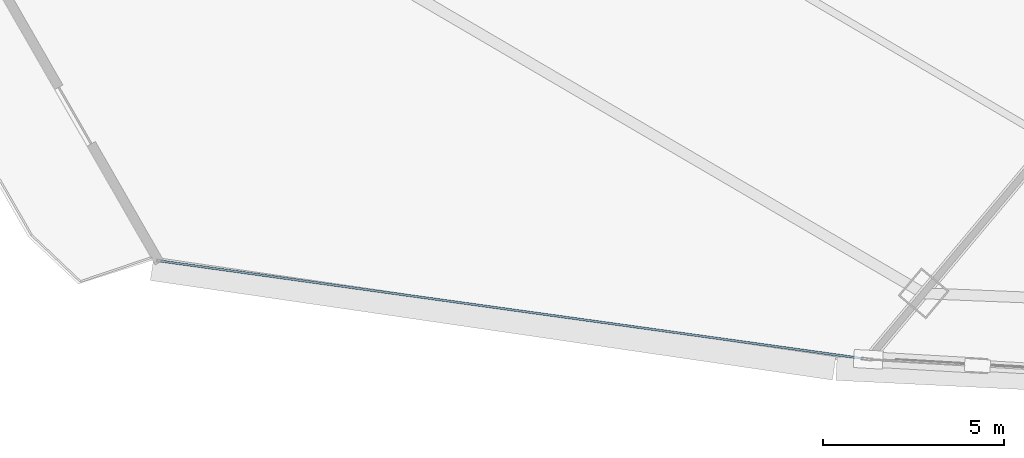
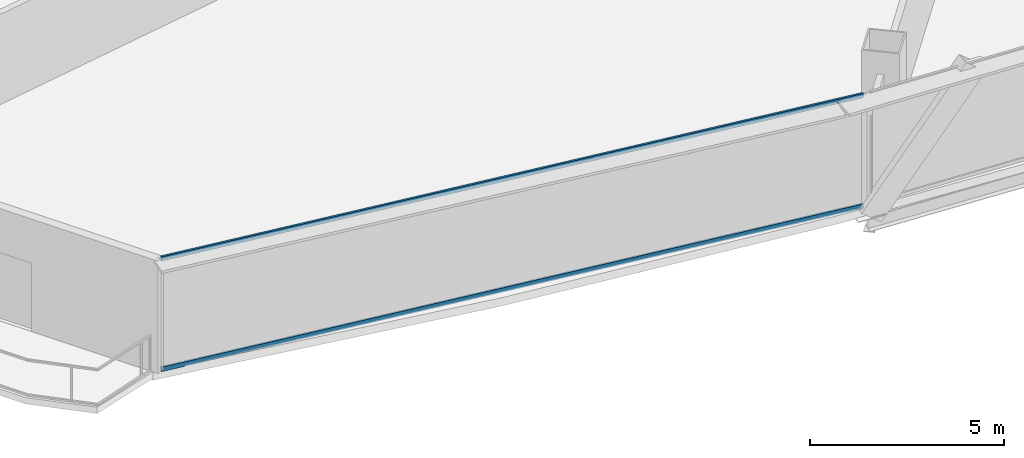
# One storey, part 3 of 38: 2 members, 1 element without a shape of its own.
"""IFC4 building model written with IfcOpenShell, lengths in metres."""

from ifc_helpers import new_model, si_unit, direction, frame, origin, origin_2d, place, context, subcontext, project, spatial, hollow_rectangle, extrude, source, transform, mapped, material, layer, layer_set, material_profile, profile_set, type_object, element, aggregate, save


model = new_model("IFC4")

# Units and contexts
model_context = context("Model", 3, precision=1e-05, world=origin(), true_north=direction((0.0, 1.0)))
body_context = subcontext(model_context, "Body", "Model", "MODEL_VIEW")
ifc_project = project(units=[si_unit("LENGTHUNIT", "METRE"), si_unit("AREAUNIT", "SQUARE_METRE"), si_unit("VOLUMEUNIT", "CUBIC_METRE"), si_unit("PLANEANGLEUNIT", "RADIAN"), si_unit("MASSUNIT", "GRAM", prefix="KILO"), si_unit("THERMODYNAMICTEMPERATUREUNIT", "KELVIN"), si_unit("POWERUNIT", "WATT")], contexts=[model_context])

# Site, building, storey
site_placement = place(None, origin())
site = spatial("IfcSite", under=ifc_project, at=site_placement, CompositionType="ELEMENT")
building_placement = place(site_placement, origin())
building = spatial("IfcBuilding", under=site, at=building_placement, Name="Yunzhuo Pagoda Commons", CompositionType="ELEMENT")
storey_placement = place(building_placement, frame((0.0, 0.0, 81.179931640625)))
storey = spatial("IfcBuildingStorey", under=building, at=storey_placement, Name="L20", CompositionType="ELEMENT", Elevation=81.179931640625)

# Curtain wall, members
ifc_material = material(Name="Anodized aluminium 6063-T6", Category="aluminium")
ifc_layer = layer(ifc_material, 0.1650390625)
ifc_layer_set = layer_set([ifc_layer], Name="Anodized aluminium 6063-T6")
curtain_wall_type = type_object("IfcCurtainWallType", Name="CW-LOW Low-Zone Ribbon Curtain Wall", PredefinedType="NOTDEFINED", material=ifc_layer_set)
curtain_wall_placement = place(storey_placement, origin())
curtain_wall = element("IfcCurtainWall", 1, at=curtain_wall_placement, inside=storey, type_object=curtain_wall_type, Name="L20 curtain wall CW-L20-F1B1", PredefinedType="NOTDEFINED")
ifc_material_profile = material_profile(ifc_material, hollow_rectangle(XDim=0.06005859375, YDim=0.139892578125, WallThickness=0.00341796875, at=origin_2d()), Name="Anodized aluminium 6063-T6")
ifc_profile_set = profile_set([ifc_material_profile], Name="Anodized aluminium 6063-T6")
member_type = type_object("IfcMemberType", Name="CW-LOW-T Transom RHS 140x60x3.5", PredefinedType="USERDEFINED", material=ifc_profile_set)
shared_shape = source(origin(), body_context, "Body", "SweptSolid", [
    extrude(hollow_rectangle(XDim=0.06005859375, YDim=0.139892578125, WallThickness=0.00341796875, at=origin_2d()), origin(), (0.0, 0.0, 1.0), 19.557861328125),
])
member_1_placement = place(storey_placement, frame((10.527099609375, 15.001953125, 0.030029296875), z_axis=(0.990501720506, -0.137500333359, 0.0), x_axis=(0.137500333359, 0.990501720506, 0.0)))
member_1 = element("IfcMember", 2, at=member_1_placement, type_object=member_type, Name="CW transom 1.1", ObjectType="TRANSOM", PredefinedType="USERDEFINED", context=body_context, shape_type="MappedRepresentation", body=[
    mapped(shared_shape, transform((0.0, 0.0, 0.0), scale=1.0)),
])
member_2_placement = place(storey_placement, frame((10.527099609375, 15.001953125, 3.510009765625), z_axis=(0.990501720506, -0.137500333359, 0.0), x_axis=(0.137500333359, 0.990501720506, 0.0)))
member_2 = element("IfcMember", 3, at=member_2_placement, type_object=member_type, Name="CW transom 1.2", ObjectType="TRANSOM", PredefinedType="USERDEFINED", context=body_context, shape_type="MappedRepresentation", body=[
    mapped(shared_shape, transform((0.0, 0.0, 0.0), scale=1.0)),
])
aggregate(curtain_wall, [member_1, member_2])

save(model, "model.ifc")
